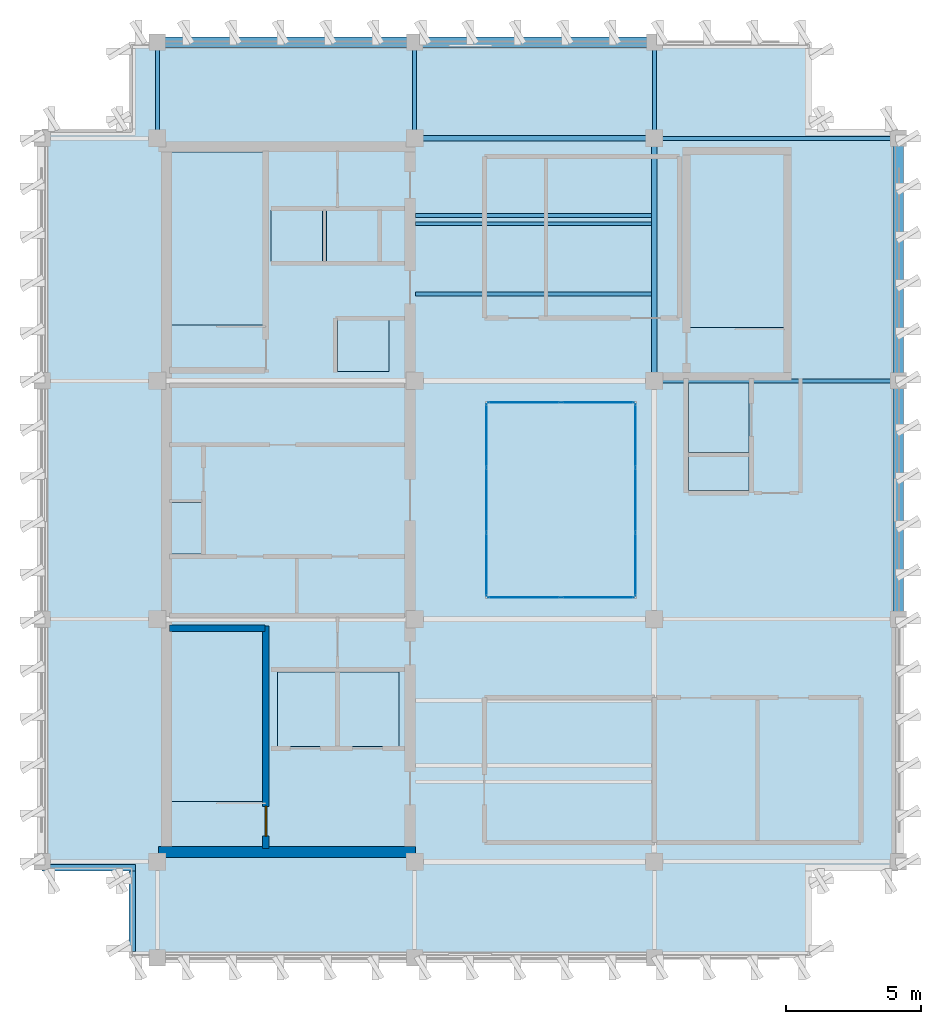
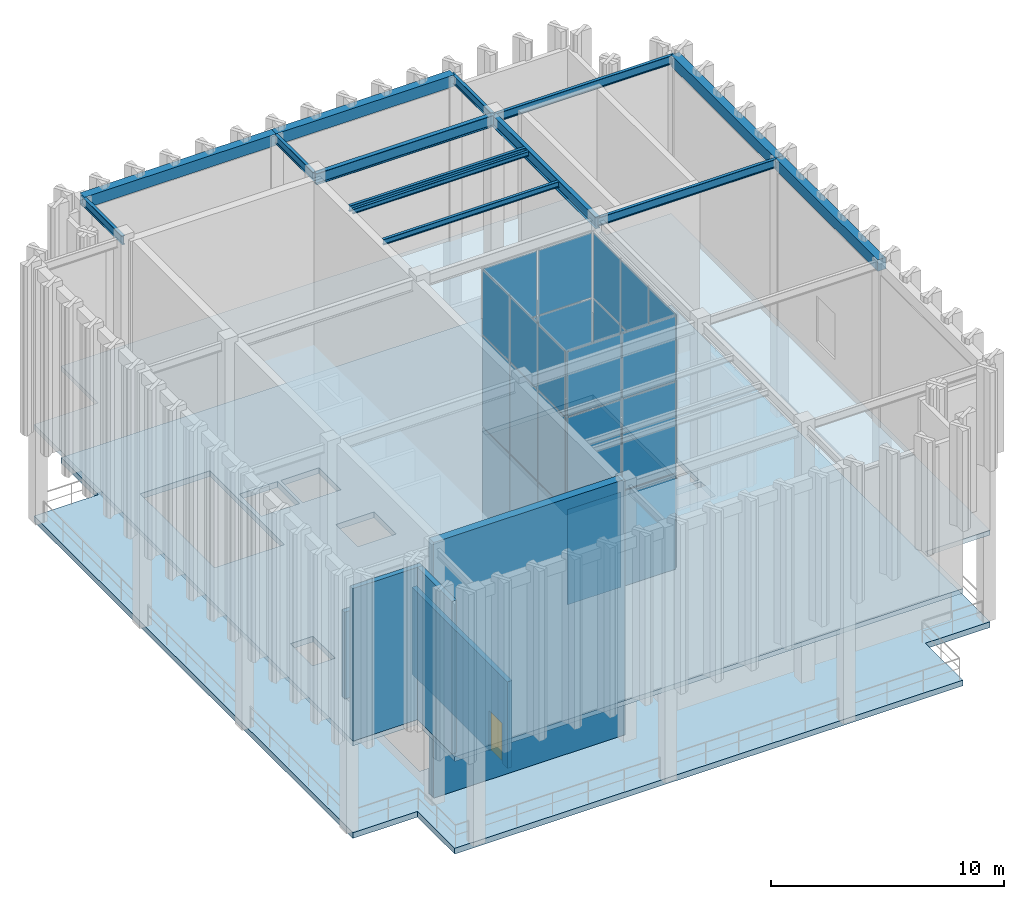
# One storey, part 10 of 15: 30 plates, 14 beams, 5 walls, 2 slabs, 1 door, 1 opening, 4 elements without a shape of their own.
"""IFC4 building model written with IfcOpenShell, lengths in metres."""

from ifc_helpers import new_model, si_unit, direction, frame, frame_2d, origin, origin_2d, place, context, subcontext, project, spatial, polyline, rectangle, i_section, outline, extrude, material, layer, layer_set, material_profile, profile_set, type_object, element, fill, aggregate, save


model = new_model("IFC4")

# Units and contexts
model_context = context("Model", 3, precision=1e-05, world=origin(), true_north=direction((0.0, 1.0)))
body_context = subcontext(model_context, "Body", "Model", "MODEL_VIEW")
ifc_project = project(units=[si_unit("LENGTHUNIT", "METRE"), si_unit("AREAUNIT", "SQUARE_METRE"), si_unit("VOLUMEUNIT", "CUBIC_METRE"), si_unit("PLANEANGLEUNIT", "RADIAN"), si_unit("MASSUNIT", "GRAM", prefix="KILO")], contexts=[model_context])

# Site, building, storey
site_placement = place(None, origin())
site = spatial("IfcSite", under=ifc_project, at=site_placement, CompositionType="ELEMENT")
building_placement = place(site_placement, origin())
building = spatial("IfcBuilding", under=site, at=building_placement, Name="Kundavana Baori Tower", CompositionType="ELEMENT")
storey_placement = place(building_placement, frame((0.0, 0.0, 354.699951171875)))
storey = spatial("IfcBuildingStorey", under=building, at=storey_placement, Name="L88", CompositionType="ELEMENT", Elevation=354.699951171875)

# Beams
ifc_material_1 = material(Name="Concrete C50/60", Category="concrete")
ifc_material_profile_1 = material_profile(ifc_material_1, rectangle(XDim=0.39990234375, YDim=0.60009765625, at=origin_2d()), Name="RC BM 400x600")
ifc_profile_set_1 = profile_set([ifc_material_profile_1], Name="Concrete C50/60")
beam_type_1 = type_object("IfcBeamType", Name="BM-PF-600", PredefinedType="SPANDREL", material=ifc_profile_set_1)
beam_1_placement = place(storey_placement, frame((15.449951171875, 45.5, 13.10009765625), z_axis=(1.0, 0.0, 0.0), x_axis=(0.0, 1.0, 0.0)))
element("IfcBeam", 1, at=beam_1_placement, inside=storey, type_object=beam_type_1, Name="L88 Perimeter Frame Ring Beam N1", PredefinedType="SPANDREL", context=body_context, shape_type="SweptSolid", body=[
    extrude(rectangle(XDim=0.39990234375, YDim=0.60009765625, at=origin_2d()), origin(), (0.0, 0.0, 1.0), 9.5),
])
beam_2_placement = place(storey_placement, frame((24.949951171875, 45.5, 13.10009765625), z_axis=(1.0, 0.0, 0.0), x_axis=(0.0, 1.0, 0.0)))
element("IfcBeam", 2, at=beam_2_placement, inside=storey, type_object=beam_type_1, Name="L88 Perimeter Frame Ring Beam N2", PredefinedType="SPANDREL", context=body_context, shape_type="SweptSolid", body=[
    extrude(rectangle(XDim=0.39990234375, YDim=0.60009765625, at=origin_2d()), origin(), (0.0, 0.0, 1.0), 8.85009765625),
])
beam_3_placement = place(storey_placement, frame((42.800048828125, 24.199951171875, 13.10009765625), z_axis=(0.0, 1.0, 0.0), x_axis=(-1.0, 0.0, 0.0)))
element("IfcBeam", 3, at=beam_3_placement, inside=storey, type_object=beam_type_1, Name="L88 Perimeter Frame Ring Beam E2", PredefinedType="SPANDREL", context=body_context, shape_type="SweptSolid", body=[
    extrude(rectangle(XDim=0.39990234375, YDim=0.60009765625, at=origin_2d()), origin(), (0.0, 0.0, 1.0), 8.800048828125),
])
beam_4_placement = place(storey_placement, frame((42.800048828125, 33.0, 13.10009765625), z_axis=(0.0, 1.0, 0.0), x_axis=(-1.0, 0.0, 0.0)))
element("IfcBeam", 4, at=beam_4_placement, inside=storey, type_object=beam_type_1, Name="L88 Perimeter Frame Ring Beam E3", PredefinedType="SPANDREL", context=body_context, shape_type="SweptSolid", body=[
    extrude(rectangle(XDim=0.39990234375, YDim=0.60009765625, at=origin_2d()), origin(), (0.0, 0.0, 1.0), 8.949951171875),
])
ifc_material_2 = material(Name="Structural Steel S355JR", Category="steel")
ifc_material_profile_2 = material_profile(ifc_material_2, i_section(OverallWidth=0.125, OverallDepth=0.25, WebThickness=0.0068359375, FlangeThickness=0.012451171875, FilletRadius=0.012939453125, at=origin_2d()), Name="ISMB 250")
ifc_profile_set_2 = profile_set([ifc_material_profile_2], Name="Structural Steel S355JR")
beam_type_2 = type_object("IfcBeamType", Name="BM-RF-250", PredefinedType="JOIST", material=ifc_profile_set_2)
beam_5_placement = place(storey_placement, frame((24.97998046875, 38.800048828125, 13.275146484375), z_axis=(1.0, 0.0, 0.0), x_axis=(0.0, 1.0, 0.0)))
element("IfcBeam", 5, at=beam_5_placement, inside=storey, type_object=beam_type_2, Name="L88 Crown Plant Secondary Joist 1", PredefinedType="JOIST", context=body_context, shape_type="SweptSolid", body=[
    extrude(i_section(OverallWidth=0.125, OverallDepth=0.25, WebThickness=0.0068359375, FlangeThickness=0.012451171875, FilletRadius=0.012939453125, at=origin_2d()), origin(), (0.0, 0.0, 1.0), 8.715087890625),
])
ifc_material_3 = material(Name="Structural Steel S355JR", Category="steel")
ifc_material_profile_3 = material_profile(ifc_material_3, i_section(OverallWidth=0.139892578125, OverallDepth=0.300048828125, WebThickness=0.0078125, FlangeThickness=0.01318359375, FilletRadius=0.013916015625, at=origin_2d()), Name="ISMB 300")
ifc_profile_set_3 = profile_set([ifc_material_profile_3], Name="Structural Steel S355JR")
beam_type_3 = type_object("IfcBeamType", Name="BM-RF-300", PredefinedType="BEAM", material=ifc_profile_set_3)
for number, where, z_axis, x_axis, name in (
    (6, (24.97998046875, 36.199951171875, 13.25), (1.0, 0.0, 0.0), (0.0, 1.0, 0.0), "L88 Central Bay Composite Floor Joist C3"),
    (7, (24.97998046875, 39.10009765625, 13.25), (1.0, 0.0, 0.0), (0.0, 1.0, 0.0), "L88 Central Bay Composite Floor Joist C4"),
):
    element("IfcBeam", number, at=place(storey_placement, frame(where, z_axis=z_axis, x_axis=x_axis)), inside=storey, type_object=beam_type_3, Name=name, PredefinedType="BEAM", context=body_context, shape_type="SweptSolid", body=[
        extrude(i_section(OverallWidth=0.139892578125, OverallDepth=0.300048828125, WebThickness=0.0078125, FlangeThickness=0.01318359375, FilletRadius=0.013916015625, at=origin_2d()), origin(), (0.0, 0.0, 1.0), 8.715087890625),
    ])
ifc_material_4 = material(Name="Structural Steel S355JR", Category="steel")
ifc_material_profile_4 = material_profile(ifc_material_4, i_section(OverallWidth=0.2099609375, OverallDepth=0.60009765625, WebThickness=0.011962890625, FlangeThickness=0.020751953125, FilletRadius=0.02001953125, at=origin_2d()), Name="ISMB 600")
ifc_profile_set_4 = profile_set([ifc_material_profile_4], Name="Structural Steel S355JR")
beam_type_4 = type_object("IfcBeamType", Name="BM-ST-600", PredefinedType="BEAM", material=ifc_profile_set_4)
beam_6_placement = place(storey_placement, frame((24.949951171875, 41.949951171875, 13.10009765625), z_axis=(1.0, 0.0, 0.0), x_axis=(0.0, 1.0, 0.0)))
element("IfcBeam", 8, at=beam_6_placement, inside=storey, type_object=beam_type_4, Name="L88 Primary Grid Girder GX-4-2", PredefinedType="BEAM", context=body_context, shape_type="SweptSolid", body=[
    extrude(i_section(OverallWidth=0.2099609375, OverallDepth=0.60009765625, WebThickness=0.011962890625, FlangeThickness=0.020751953125, FilletRadius=0.02001953125, at=origin_2d()), origin(), (0.0, 0.0, 1.0), 8.85009765625),
])
beam_7_placement = place(storey_placement, frame((33.800048828125, 33.0, 13.10009765625), z_axis=(0.0, 1.0, 0.0), x_axis=(-1.0, 0.0, 0.0)))
element("IfcBeam", 9, at=beam_7_placement, inside=storey, type_object=beam_type_4, Name="L88 Primary Grid Girder GY-3-3", PredefinedType="BEAM", context=body_context, shape_type="SweptSolid", body=[
    extrude(i_section(OverallWidth=0.2099609375, OverallDepth=0.60009765625, WebThickness=0.011962890625, FlangeThickness=0.020751953125, FilletRadius=0.02001953125, at=origin_2d()), origin(), (0.0, 0.0, 1.0), 8.949951171875),
])
ifc_material_5 = material(Name="Structural Steel S355JR", Category="steel")
ifc_material_profile_5 = material_profile(ifc_material_5, i_section(OverallWidth=0.14990234375, OverallDepth=0.449951171875, WebThickness=0.009521484375, FlangeThickness=0.017333984375, FilletRadius=0.014892578125, at=origin_2d()), Name="ISMB 450")
ifc_profile_set_5 = profile_set([ifc_material_profile_5], Name="Structural Steel S355JR")
beam_type_5 = type_object("IfcBeamType", Name="BM-TIE-450", PredefinedType="BEAM", material=ifc_profile_set_5)
for number, where, z_axis, x_axis, name in (
    (10, (15.449951171875, 41.949951171875, 13.175048828125), (0.0, 1.0, 0.0), (-1.0, 0.0, 0.0), "L88 North Radial Loggia Tie Beam N1"),
    (11, (24.949951171875, 41.949951171875, 13.175048828125), (0.0, 1.0, 0.0), (-1.0, 0.0, 0.0), "L88 North Radial Loggia Tie Beam N2"),
    (12, (33.800048828125, 41.949951171875, 13.175048828125), (0.0, 1.0, 0.0), (-1.0, 0.0, 0.0), "L88 North Radial Loggia Tie Beam N3"),
):
    element("IfcBeam", number, at=place(storey_placement, frame(where, z_axis=z_axis, x_axis=x_axis)), inside=storey, type_object=beam_type_5, Name=name, PredefinedType="BEAM", context=body_context, shape_type="SweptSolid", body=[
        extrude(i_section(OverallWidth=0.14990234375, OverallDepth=0.449951171875, WebThickness=0.009521484375, FlangeThickness=0.017333984375, FilletRadius=0.014892578125, at=origin_2d()), origin(), (0.0, 0.0, 1.0), 3.550048828125),
    ])
for number, where, z_axis, x_axis, name in (
    (13, (33.800048828125, 33.0, 13.175048828125), (1.0, 0.0, 0.0), (0.0, 1.0, 0.0), "L88 East Radial Loggia Tie Beam E3"),
    (14, (33.800048828125, 41.949951171875, 13.175048828125), (1.0, 0.0, 0.0), (0.0, 1.0, 0.0), "L88 East Radial Loggia Tie Beam E4"),
):
    element("IfcBeam", number, at=place(storey_placement, frame(where, z_axis=z_axis, x_axis=x_axis)), inside=storey, type_object=beam_type_5, Name=name, PredefinedType="BEAM", context=body_context, shape_type="SweptSolid", body=[
        extrude(i_section(OverallWidth=0.14990234375, OverallDepth=0.449951171875, WebThickness=0.009521484375, FlangeThickness=0.017333984375, FilletRadius=0.014892578125, at=origin_2d()), origin(), (0.0, 0.0, 1.0), 9.0),
    ])

# Curtain wall, plates
ifc_material_6 = material(Name="Thermally Broken Anodised Aluminium Framing", Category="aluminium")
ifc_layer_1 = layer(ifc_material_6, 0.25, Name="CW-SYS-7")
ifc_layer_set_1 = layer_set([ifc_layer_1], Name="Thermally Broken Anodised Aluminium Framing")
curtain_wall_type = type_object("IfcCurtainWallType", Name="CW-SYS-7", PredefinedType="NOTDEFINED", material=ifc_layer_set_1)
curtain_wall_1_placement = place(storey_placement, origin())
curtain_wall_1 = element("IfcCurtainWall", 15, at=curtain_wall_1_placement, inside=storey, type_object=curtain_wall_type, Name="L88 Atrium Glazed Curtain Wall S", PredefinedType="NOTDEFINED")
ifc_material_7 = material(Name="Double-Glazed Solar-Control Low-E Insulated Glass", Category="glass")
ifc_layer_2 = layer(ifc_material_7, 0.028076171875, Name="CW-PNL-GLS28")
ifc_layer_set_2 = layer_set([ifc_layer_2], Name="Double-Glazed Solar-Control Low-E Insulated Glass")
plate_type = type_object("IfcPlateType", Name="CW-PNL-GLS28", PredefinedType="CURTAIN_PANEL", material=ifc_layer_set_2)
plate_1_placement = place(storey_placement, frame((28.9912109375, 25.0, 0.06494140625), z_axis=(0.0, 0.0, 1.0), x_axis=(1.0, 0.0, 0.0)))
plate_1 = element("IfcPlate", 16, at=plate_1_placement, type_object=plate_type, Name="CW7 panel 1.1", PredefinedType="CURTAIN_PANEL", context=body_context, shape_type="SweptSolid", body=[
    extrude(rectangle(XDim=2.652587890625, YDim=0.028076171875, at=origin_2d()), origin(), (0.0, 0.0, 1.0), 4.994384765625),
])
plate_2_placement = place(storey_placement, frame((28.9912109375, 25.0, 5.12451171875), z_axis=(0.0, 0.0, 1.0), x_axis=(1.0, 0.0, 0.0)))
plate_2 = element("IfcPlate", 17, at=plate_2_placement, type_object=plate_type, Name="CW7 panel 1.2", PredefinedType="CURTAIN_PANEL", context=body_context, shape_type="SweptSolid", body=[
    extrude(rectangle(XDim=2.652587890625, YDim=0.028076171875, at=origin_2d()), origin(), (0.0, 0.0, 1.0), 4.759033203125),
])
plate_3_placement = place(storey_placement, frame((28.9912109375, 25.0, 9.94873046875), z_axis=(0.0, 0.0, 1.0), x_axis=(1.0, 0.0, 0.0)))
plate_3 = element("IfcPlate", 18, at=plate_3_placement, type_object=plate_type, Name="CW7 panel 1.3", PredefinedType="CURTAIN_PANEL", context=body_context, shape_type="SweptSolid", body=[
    extrude(rectangle(XDim=2.652587890625, YDim=0.028076171875, at=origin_2d()), origin(), (0.0, 0.0, 1.0), 3.386474609375),
])
plate_4_placement = place(storey_placement, frame((31.708740234375, 25.0, 0.06494140625), z_axis=(0.0, 0.0, 1.0), x_axis=(1.0, 0.0, 0.0)))
plate_4 = element("IfcPlate", 19, at=plate_4_placement, type_object=plate_type, Name="CW7 panel 2.1", PredefinedType="CURTAIN_PANEL", context=body_context, shape_type="SweptSolid", body=[
    extrude(rectangle(XDim=2.652587890625, YDim=0.028076171875, at=origin_2d()), origin(), (0.0, 0.0, 1.0), 4.994384765625),
])
plate_5_placement = place(storey_placement, frame((31.708740234375, 25.0, 5.12451171875), z_axis=(0.0, 0.0, 1.0), x_axis=(1.0, 0.0, 0.0)))
plate_5 = element("IfcPlate", 20, at=plate_5_placement, type_object=plate_type, Name="CW7 panel 2.2", PredefinedType="CURTAIN_PANEL", context=body_context, shape_type="SweptSolid", body=[
    extrude(rectangle(XDim=2.652587890625, YDim=0.028076171875, at=origin_2d()), origin(), (0.0, 0.0, 1.0), 4.759033203125),
])
plate_6_placement = place(storey_placement, frame((31.708740234375, 25.0, 9.94873046875), z_axis=(0.0, 0.0, 1.0), x_axis=(1.0, 0.0, 0.0)))
plate_6 = element("IfcPlate", 21, at=plate_6_placement, type_object=plate_type, Name="CW7 panel 2.3", PredefinedType="CURTAIN_PANEL", context=body_context, shape_type="SweptSolid", body=[
    extrude(rectangle(XDim=2.652587890625, YDim=0.028076171875, at=origin_2d()), origin(), (0.0, 0.0, 1.0), 3.386474609375),
])
aggregate(curtain_wall_1, [plate_1, plate_2, plate_3, plate_4, plate_5, plate_6])

curtain_wall_2_placement = place(storey_placement, origin())
curtain_wall_2 = element("IfcCurtainWall", 22, at=curtain_wall_2_placement, inside=storey, type_object=curtain_wall_type, Name="L88 Atrium Glazed Curtain Wall E", PredefinedType="NOTDEFINED")
plate_7_placement = place(storey_placement, frame((33.10009765625, 26.21630859375, 0.06494140625), z_axis=(0.0, 0.0, 1.0), x_axis=(0.0, 1.0, 0.0)))
plate_7 = element("IfcPlate", 23, at=plate_7_placement, type_object=plate_type, Name="CW7 panel 1.1", PredefinedType="CURTAIN_PANEL", context=body_context, shape_type="SweptSolid", body=[
    extrude(rectangle(XDim=2.302490234375, YDim=0.028076171875, at=origin_2d()), origin(), (0.0, 0.0, 1.0), 4.994384765625),
])
plate_8_placement = place(storey_placement, frame((33.10009765625, 26.21630859375, 5.12451171875), z_axis=(0.0, 0.0, 1.0), x_axis=(0.0, 1.0, 0.0)))
plate_8 = element("IfcPlate", 24, at=plate_8_placement, type_object=plate_type, Name="CW7 panel 1.2", PredefinedType="CURTAIN_PANEL", context=body_context, shape_type="SweptSolid", body=[
    extrude(rectangle(XDim=2.302490234375, YDim=0.028076171875, at=origin_2d()), origin(), (0.0, 0.0, 1.0), 4.759033203125),
])
plate_9_placement = place(storey_placement, frame((33.10009765625, 26.21630859375, 9.94873046875), z_axis=(0.0, 0.0, 1.0), x_axis=(0.0, 1.0, 0.0)))
plate_9 = element("IfcPlate", 25, at=plate_9_placement, type_object=plate_type, Name="CW7 panel 1.3", PredefinedType="CURTAIN_PANEL", context=body_context, shape_type="SweptSolid", body=[
    extrude(rectangle(XDim=2.302490234375, YDim=0.028076171875, at=origin_2d()), origin(), (0.0, 0.0, 1.0), 3.386474609375),
])
plate_10_placement = place(storey_placement, frame((33.10009765625, 28.60009765625, 0.06494140625), z_axis=(0.0, 0.0, 1.0), x_axis=(0.0, 1.0, 0.0)))
plate_10 = element("IfcPlate", 26, at=plate_10_placement, type_object=plate_type, Name="CW7 panel 2.1", PredefinedType="CURTAIN_PANEL", context=body_context, shape_type="SweptSolid", body=[
    extrude(rectangle(XDim=2.3349609375, YDim=0.028076171875, at=origin_2d()), origin(), (0.0, 0.0, 1.0), 4.994384765625),
])
plate_11_placement = place(storey_placement, frame((33.10009765625, 28.60009765625, 5.12451171875), z_axis=(0.0, 0.0, 1.0), x_axis=(0.0, 1.0, 0.0)))
plate_11 = element("IfcPlate", 27, at=plate_11_placement, type_object=plate_type, Name="CW7 panel 2.2", PredefinedType="CURTAIN_PANEL", context=body_context, shape_type="SweptSolid", body=[
    extrude(rectangle(XDim=2.3349609375, YDim=0.028076171875, at=origin_2d()), origin(), (0.0, 0.0, 1.0), 4.759033203125),
])
plate_12_placement = place(storey_placement, frame((33.10009765625, 28.60009765625, 9.94873046875), z_axis=(0.0, 0.0, 1.0), x_axis=(0.0, 1.0, 0.0)))
plate_12 = element("IfcPlate", 28, at=plate_12_placement, type_object=plate_type, Name="CW7 panel 2.3", PredefinedType="CURTAIN_PANEL", context=body_context, shape_type="SweptSolid", body=[
    extrude(rectangle(XDim=2.3349609375, YDim=0.028076171875, at=origin_2d()), origin(), (0.0, 0.0, 1.0), 3.386474609375),
])
plate_13_placement = place(storey_placement, frame((33.10009765625, 30.983642578125, 0.06494140625), z_axis=(0.0, 0.0, 1.0), x_axis=(0.0, 1.0, 0.0)))
plate_13 = element("IfcPlate", 29, at=plate_13_placement, type_object=plate_type, Name="CW7 panel 3.1", PredefinedType="CURTAIN_PANEL", context=body_context, shape_type="SweptSolid", body=[
    extrude(rectangle(XDim=2.302490234375, YDim=0.028076171875, at=origin_2d()), origin(), (0.0, 0.0, 1.0), 4.994384765625),
])
plate_14_placement = place(storey_placement, frame((33.10009765625, 30.983642578125, 5.12451171875), z_axis=(0.0, 0.0, 1.0), x_axis=(0.0, 1.0, 0.0)))
plate_14 = element("IfcPlate", 30, at=plate_14_placement, type_object=plate_type, Name="CW7 panel 3.2", PredefinedType="CURTAIN_PANEL", context=body_context, shape_type="SweptSolid", body=[
    extrude(rectangle(XDim=2.302490234375, YDim=0.028076171875, at=origin_2d()), origin(), (0.0, 0.0, 1.0), 4.759033203125),
])
plate_15_placement = place(storey_placement, frame((33.10009765625, 30.983642578125, 9.94873046875), z_axis=(0.0, 0.0, 1.0), x_axis=(0.0, 1.0, 0.0)))
plate_15 = element("IfcPlate", 31, at=plate_15_placement, type_object=plate_type, Name="CW7 panel 3.3", PredefinedType="CURTAIN_PANEL", context=body_context, shape_type="SweptSolid", body=[
    extrude(rectangle(XDim=2.302490234375, YDim=0.028076171875, at=origin_2d()), origin(), (0.0, 0.0, 1.0), 3.386474609375),
])
aggregate(curtain_wall_2, [plate_7, plate_8, plate_9, plate_10, plate_11, plate_12, plate_13, plate_14, plate_15])

curtain_wall_3_placement = place(storey_placement, origin())
curtain_wall_3 = element("IfcCurtainWall", 32, at=curtain_wall_3_placement, inside=storey, type_object=curtain_wall_type, Name="L88 Atrium Glazed Curtain Wall N", PredefinedType="NOTDEFINED")
plate_16_placement = place(storey_placement, frame((31.708740234375, 32.199951171875, 0.06494140625), z_axis=(0.0, 0.0, 1.0), x_axis=(-1.0, 0.0, 0.0)))
plate_16 = element("IfcPlate", 33, at=plate_16_placement, type_object=plate_type, Name="CW7 panel 1.1", PredefinedType="CURTAIN_PANEL", context=body_context, shape_type="SweptSolid", body=[
    extrude(rectangle(XDim=2.652587890625, YDim=0.028076171875, at=origin_2d()), origin(), (0.0, 0.0, 1.0), 4.994384765625),
])
plate_17_placement = place(storey_placement, frame((31.708740234375, 32.199951171875, 5.12451171875), z_axis=(0.0, 0.0, 1.0), x_axis=(-1.0, 0.0, 0.0)))
plate_17 = element("IfcPlate", 34, at=plate_17_placement, type_object=plate_type, Name="CW7 panel 1.2", PredefinedType="CURTAIN_PANEL", context=body_context, shape_type="SweptSolid", body=[
    extrude(rectangle(XDim=2.652587890625, YDim=0.028076171875, at=origin_2d()), origin(), (0.0, 0.0, 1.0), 4.759033203125),
])
plate_18_placement = place(storey_placement, frame((31.708740234375, 32.199951171875, 9.94873046875), z_axis=(0.0, 0.0, 1.0), x_axis=(-1.0, 0.0, 0.0)))
plate_18 = element("IfcPlate", 35, at=plate_18_placement, type_object=plate_type, Name="CW7 panel 1.3", PredefinedType="CURTAIN_PANEL", context=body_context, shape_type="SweptSolid", body=[
    extrude(rectangle(XDim=2.652587890625, YDim=0.028076171875, at=origin_2d()), origin(), (0.0, 0.0, 1.0), 3.386474609375),
])
plate_19_placement = place(storey_placement, frame((28.9912109375, 32.199951171875, 0.06494140625), z_axis=(0.0, 0.0, 1.0), x_axis=(-1.0, 0.0, 0.0)))
plate_19 = element("IfcPlate", 36, at=plate_19_placement, type_object=plate_type, Name="CW7 panel 2.1", PredefinedType="CURTAIN_PANEL", context=body_context, shape_type="SweptSolid", body=[
    extrude(rectangle(XDim=2.652587890625, YDim=0.028076171875, at=origin_2d()), origin(), (0.0, 0.0, 1.0), 4.994384765625),
])
plate_20_placement = place(storey_placement, frame((28.9912109375, 32.199951171875, 5.12451171875), z_axis=(0.0, 0.0, 1.0), x_axis=(-1.0, 0.0, 0.0)))
plate_20 = element("IfcPlate", 37, at=plate_20_placement, type_object=plate_type, Name="CW7 panel 2.2", PredefinedType="CURTAIN_PANEL", context=body_context, shape_type="SweptSolid", body=[
    extrude(rectangle(XDim=2.652587890625, YDim=0.028076171875, at=origin_2d()), origin(), (0.0, 0.0, 1.0), 4.759033203125),
])
plate_21_placement = place(storey_placement, frame((28.9912109375, 32.199951171875, 9.94873046875), z_axis=(0.0, 0.0, 1.0), x_axis=(-1.0, 0.0, 0.0)))
plate_21 = element("IfcPlate", 38, at=plate_21_placement, type_object=plate_type, Name="CW7 panel 2.3", PredefinedType="CURTAIN_PANEL", context=body_context, shape_type="SweptSolid", body=[
    extrude(rectangle(XDim=2.652587890625, YDim=0.028076171875, at=origin_2d()), origin(), (0.0, 0.0, 1.0), 3.386474609375),
])
aggregate(curtain_wall_3, [plate_16, plate_17, plate_18, plate_19, plate_20, plate_21])

curtain_wall_4_placement = place(storey_placement, origin())
curtain_wall_4 = element("IfcCurtainWall", 39, at=curtain_wall_4_placement, inside=storey, type_object=curtain_wall_type, Name="L88 Atrium Glazed Curtain Wall W", PredefinedType="NOTDEFINED")
plate_22_placement = place(storey_placement, frame((27.60009765625, 30.983642578125, 0.06494140625), z_axis=(0.0, 0.0, 1.0), x_axis=(0.0, -1.0, 0.0)))
plate_22 = element("IfcPlate", 40, at=plate_22_placement, type_object=plate_type, Name="CW7 panel 1.1", PredefinedType="CURTAIN_PANEL", context=body_context, shape_type="SweptSolid", body=[
    extrude(rectangle(XDim=2.302490234375, YDim=0.028076171875, at=origin_2d()), origin(), (0.0, 0.0, 1.0), 4.994384765625),
])
plate_23_placement = place(storey_placement, frame((27.60009765625, 30.983642578125, 5.12451171875), z_axis=(0.0, 0.0, 1.0), x_axis=(0.0, -1.0, 0.0)))
plate_23 = element("IfcPlate", 41, at=plate_23_placement, type_object=plate_type, Name="CW7 panel 1.2", PredefinedType="CURTAIN_PANEL", context=body_context, shape_type="SweptSolid", body=[
    extrude(rectangle(XDim=2.302490234375, YDim=0.028076171875, at=origin_2d()), origin(), (0.0, 0.0, 1.0), 4.759033203125),
])
plate_24_placement = place(storey_placement, frame((27.60009765625, 30.983642578125, 9.94873046875), z_axis=(0.0, 0.0, 1.0), x_axis=(0.0, -1.0, 0.0)))
plate_24 = element("IfcPlate", 42, at=plate_24_placement, type_object=plate_type, Name="CW7 panel 1.3", PredefinedType="CURTAIN_PANEL", context=body_context, shape_type="SweptSolid", body=[
    extrude(rectangle(XDim=2.302490234375, YDim=0.028076171875, at=origin_2d()), origin(), (0.0, 0.0, 1.0), 3.386474609375),
])
plate_25_placement = place(storey_placement, frame((27.60009765625, 28.60009765625, 0.06494140625), z_axis=(0.0, 0.0, 1.0), x_axis=(0.0, -1.0, 0.0)))
plate_25 = element("IfcPlate", 43, at=plate_25_placement, type_object=plate_type, Name="CW7 panel 2.1", PredefinedType="CURTAIN_PANEL", context=body_context, shape_type="SweptSolid", body=[
    extrude(rectangle(XDim=2.3349609375, YDim=0.028076171875, at=origin_2d()), origin(), (0.0, 0.0, 1.0), 4.994384765625),
])
plate_26_placement = place(storey_placement, frame((27.60009765625, 28.60009765625, 5.12451171875), z_axis=(0.0, 0.0, 1.0), x_axis=(0.0, -1.0, 0.0)))
plate_26 = element("IfcPlate", 44, at=plate_26_placement, type_object=plate_type, Name="CW7 panel 2.2", PredefinedType="CURTAIN_PANEL", context=body_context, shape_type="SweptSolid", body=[
    extrude(rectangle(XDim=2.3349609375, YDim=0.028076171875, at=origin_2d()), origin(), (0.0, 0.0, 1.0), 4.759033203125),
])
plate_27_placement = place(storey_placement, frame((27.60009765625, 28.60009765625, 9.94873046875), z_axis=(0.0, 0.0, 1.0), x_axis=(0.0, -1.0, 0.0)))
plate_27 = element("IfcPlate", 45, at=plate_27_placement, type_object=plate_type, Name="CW7 panel 2.3", PredefinedType="CURTAIN_PANEL", context=body_context, shape_type="SweptSolid", body=[
    extrude(rectangle(XDim=2.3349609375, YDim=0.028076171875, at=origin_2d()), origin(), (0.0, 0.0, 1.0), 3.386474609375),
])
plate_28_placement = place(storey_placement, frame((27.60009765625, 26.21630859375, 0.06494140625), z_axis=(0.0, 0.0, 1.0), x_axis=(0.0, -1.0, 0.0)))
plate_28 = element("IfcPlate", 46, at=plate_28_placement, type_object=plate_type, Name="CW7 panel 3.1", PredefinedType="CURTAIN_PANEL", context=body_context, shape_type="SweptSolid", body=[
    extrude(rectangle(XDim=2.302490234375, YDim=0.028076171875, at=origin_2d()), origin(), (0.0, 0.0, 1.0), 4.994384765625),
])
plate_29_placement = place(storey_placement, frame((27.60009765625, 26.21630859375, 5.12451171875), z_axis=(0.0, 0.0, 1.0), x_axis=(0.0, -1.0, 0.0)))
plate_29 = element("IfcPlate", 47, at=plate_29_placement, type_object=plate_type, Name="CW7 panel 3.2", PredefinedType="CURTAIN_PANEL", context=body_context, shape_type="SweptSolid", body=[
    extrude(rectangle(XDim=2.302490234375, YDim=0.028076171875, at=origin_2d()), origin(), (0.0, 0.0, 1.0), 4.759033203125),
])
plate_30_placement = place(storey_placement, frame((27.60009765625, 26.21630859375, 9.94873046875), z_axis=(0.0, 0.0, 1.0), x_axis=(0.0, -1.0, 0.0)))
plate_30 = element("IfcPlate", 48, at=plate_30_placement, type_object=plate_type, Name="CW7 panel 3.3", PredefinedType="CURTAIN_PANEL", context=body_context, shape_type="SweptSolid", body=[
    extrude(rectangle(XDim=2.302490234375, YDim=0.028076171875, at=origin_2d()), origin(), (0.0, 0.0, 1.0), 3.386474609375),
])
aggregate(curtain_wall_4, [plate_22, plate_23, plate_24, plate_25, plate_26, plate_27, plate_28, plate_29, plate_30])

# Slabs
ifc_material_8 = material(Name="Concrete C40/50", Category="concrete")
ifc_layer_3 = layer(ifc_material_8, 0.25, Name="SLB-FLR-250")
ifc_layer_set_3 = layer_set([ifc_layer_3], Name="Concrete C40/50")
slab_type_1 = type_object("IfcSlabType", Name="SLB-FLR-250", PredefinedType="FLOOR", material=ifc_layer_set_3)
slab_1_placement = place(storey_placement, frame((0.0, 0.0, 4.550048828125)))
element("IfcSlab", 49, at=slab_1_placement, inside=storey, type_object=slab_type_1, Name="L88 Crown Mechanical Plenum Structural Deck", PredefinedType="FLOOR", context=body_context, shape_type="SweptSolid", body=[
    extrude(outline(polyline([(14.39990234375, 11.699951171875), (39.60009765625, 11.699951171875), (39.60009765625, 14.89990234375), (42.800048828125, 14.89990234375), (42.800048828125, 42.300048828125), (39.60009765625, 42.300048828125), (39.60009765625, 45.5), (14.39990234375, 45.5), (14.39990234375, 42.300048828125), (11.199951171875, 42.300048828125), (11.199951171875, 14.89990234375), (14.39990234375, 14.89990234375), (14.39990234375, 11.699951171875)]), holes=[polyline([(27.60009765625, 25.0), (33.10009765625, 25.0), (33.10009765625, 32.199951171875), (27.60009765625, 32.199951171875), (27.60009765625, 25.0)])]), origin(), (0.0, 0.0, 1.0), 0.25),
])
ifc_material_9 = material(Name="Concrete C40/50", Category="concrete")
ifc_layer_4 = layer(ifc_material_9, 0.300048828125, Name="SLB-FLR-300")
ifc_layer_set_4 = layer_set([ifc_layer_4], Name="Concrete C40/50")
slab_type_2 = type_object("IfcSlabType", Name="SLB-FLR-300", PredefinedType="FLOOR", material=ifc_layer_set_4)
slab_2_placement = place(storey_placement, frame((0.0, 0.0, -0.300048828125)))
element("IfcSlab", 50, at=slab_2_placement, inside=storey, type_object=slab_type_2, Name="L88 Structural Floor Slab", PredefinedType="FLOOR", context=body_context, shape_type="SweptSolid", body=[
    extrude(outline(polyline([(14.39990234375, 11.699951171875), (39.60009765625, 11.699951171875), (39.60009765625, 14.89990234375), (42.800048828125, 14.89990234375), (42.800048828125, 42.300048828125), (39.60009765625, 42.300048828125), (39.60009765625, 45.5), (14.39990234375, 45.5), (14.39990234375, 42.300048828125), (11.199951171875, 42.300048828125), (11.199951171875, 14.89990234375), (14.39990234375, 14.89990234375), (14.39990234375, 11.699951171875)]), holes=[polyline([(19.43994140625, 17.4619140625), (19.43994140625, 23.85009765625), (15.97998046875, 23.85009765625), (15.97998046875, 17.4619140625), (19.43994140625, 17.4619140625)]), polyline([(19.43994140625, 35.06201171875), (19.43994140625, 41.449951171875), (15.97998046875, 41.449951171875), (15.97998046875, 35.06201171875), (19.43994140625, 35.06201171875)]), polyline([(38.580078125, 34.9619140625), (38.580078125, 41.35009765625), (35.1201171875, 41.35009765625), (35.1201171875, 34.9619140625), (38.580078125, 34.9619140625)]), polyline([(19.64990234375, 37.39990234375), (21.550048828125, 37.39990234375), (21.550048828125, 39.300048828125), (19.64990234375, 39.300048828125), (19.64990234375, 37.39990234375)]), polyline([(21.699951171875, 37.39990234375), (23.60009765625, 37.39990234375), (23.60009765625, 39.300048828125), (21.699951171875, 39.300048828125), (21.699951171875, 37.39990234375)]), polyline([(22.10009765625, 33.35009765625), (24.0, 33.35009765625), (24.0, 35.25), (22.10009765625, 35.25), (22.10009765625, 33.35009765625)]), polyline([(19.8798828125, 19.5), (22.02001953125, 19.5), (22.02001953125, 22.25), (19.8798828125, 22.25), (19.8798828125, 19.5)]), polyline([(22.179931640625, 19.5), (24.3798828125, 19.5), (24.3798828125, 22.25), (22.179931640625, 22.25), (22.179931640625, 19.5)]), polyline([(35.050048828125, 30.35009765625), (37.300048828125, 30.35009765625), (37.300048828125, 32.949951171875), (35.050048828125, 32.949951171875), (35.050048828125, 30.35009765625)]), polyline([(15.949951171875, 26.60009765625), (17.080078125, 26.60009765625), (17.080078125, 28.5), (15.949951171875, 28.5), (15.949951171875, 26.60009765625)]), polyline([(35.050048828125, 28.949951171875), (37.300048828125, 28.949951171875), (37.300048828125, 30.199951171875), (35.050048828125, 30.199951171875), (35.050048828125, 28.949951171875)])]), origin(), (0.0, 0.0, 1.0), 0.300048828125),
])

# Wall
ifc_material_10 = material(Name="Concrete C50/60", Category="concrete")
ifc_layer_5 = layer(ifc_material_10, 0.39990234375, Name="WL-CORE-400")
ifc_layer_set_5 = layer_set([ifc_layer_5], Name="Concrete C50/60")
wall_type_1 = type_object("IfcWallType", Name="WL-CORE-400", PredefinedType="SHEAR", material=ifc_layer_set_5)
wall_1_placement = place(storey_placement, frame((15.5, 15.610107421875, 0.0), z_axis=(0.0, 0.0, 1.0), x_axis=(1.0, 0.0, 0.0)))
element("IfcWall", 51, at=wall_1_placement, inside=storey, type_object=wall_type_1, Name="L88 Offset Core South Shear Wall", PredefinedType="SHEAR", context=body_context, shape_type="SweptSolid", body=[
    extrude(rectangle(XDim=9.47998046875, YDim=0.39990234375, at=frame_2d((4.739990234375, 0.0))), origin(), (0.0, 0.0, 1.0), 13.400146484375),
])

# Wall, opening, door
wall_2_placement = place(storey_placement, frame((19.4599609375, 15.739990234375, 0.0), z_axis=(0.0, 0.0, 1.0), x_axis=(0.0, 1.0, 0.0)))
wall_2 = element("IfcWall", 52, at=wall_2_placement, inside=storey, type_object=wall_type_1, Name="WL-L88-ST1-E", PredefinedType="SHEAR", context=body_context, shape_type="SweptSolid", body=[
    extrude(rectangle(XDim=8.199951171875, YDim=0.239990234375, at=frame_2d((4.10009765625, 0.0))), origin(), (0.0, 0.0, 1.0), 4.550048828125),
])
opening_placement = place(wall_2_placement, frame((0.449951171875, 0.0, 0.0)))
opening = element("IfcOpeningElement", 53, at=opening_placement, cuts=wall_2, Name="Opening FD-110", PredefinedType="OPENING", context=body_context, shape_type="SweptSolid", body=[
    extrude(rectangle(XDim=1.10009765625, YDim=2.10009765625, at=frame_2d((0.550048828125, 1.050048828125))), frame((0.0, 0.1298828125, 0.0), z_axis=(0.0, -1.0, 0.0), x_axis=(1.0, 0.0, 0.0)), (0.0, 0.0, 1.0), 0.260009765625),
])
ifc_material_11 = material(Name="Galvanised Steel Fire-Rated Door Leaf", Category="steel")
door_type = type_object("IfcDoorType", Name="DR-FD120-1100", OperationType="NOTDEFINED", PredefinedType="DOOR", material=ifc_material_11)
door_placement = place(opening_placement, origin())
door = element("IfcDoor", 54, at=door_placement, inside=storey, type_object=door_type, Name="DR-L88-ST1", OperationType="SINGLE_SWING_LEFT", OverallHeight=2.10009765625, OverallWidth=1.10009765625, PredefinedType="DOOR", context=body_context, shape_type="SweptSolid", body=[
    extrude(rectangle(XDim=1.10009765625, YDim=2.10009765625, at=frame_2d((0.550048828125, 1.050048828125))), frame((0.0, 0.02490234375, 0.0), z_axis=(0.0, -1.0, 0.0), x_axis=(1.0, 0.0, 0.0)), (0.0, 0.0, 1.0), 0.050048828125),
])
fill(opening, door)

# Walls
wall_3_placement = place(storey_placement, frame((15.89990234375, 23.860107421875, 0.0), z_axis=(0.0, 0.0, 1.0), x_axis=(1.0, 0.0, 0.0)))
element("IfcWall", 55, at=wall_3_placement, inside=storey, type_object=wall_type_1, Name="WL-L88-ST1-N", PredefinedType="SHEAR", context=body_context, shape_type="SweptSolid", body=[
    extrude(rectangle(XDim=3.52001953125, YDim=0.239990234375, at=frame_2d((1.760009765625, 0.0))), origin(), (0.0, 0.0, 1.0), 4.550048828125),
])
ifc_material_12 = material(Name="Red-Buff Dholpur Sandstone Cladding on Concrete C40/50", Category="masonry")
ifc_layer_6 = layer(ifc_material_12, 0.239990234375, Name="WL-EXT-CRN-240")
ifc_layer_set_6 = layer_set([ifc_layer_6], Name="Red-Buff Dholpur Sandstone Cladding on Concrete C40/50")
wall_type_2 = type_object("IfcWallType", Name="WL-EXT-CRN-240", PredefinedType="ELEMENTEDWALL", material=ifc_layer_set_6)
wall_4_placement = place(storey_placement, frame((11.199951171875, 15.02001953125, 4.800048828125), z_axis=(0.0, 0.0, 1.0), x_axis=(1.0, 0.0, 0.0)))
element("IfcWall", 56, at=wall_4_placement, inside=storey, type_object=wall_type_2, Name="L88 Stepped Crown Dholpur Stone Louvre Screen Wall 11", PredefinedType="ELEMENTEDWALL", context=body_context, shape_type="SweptSolid", body=[
    extrude(rectangle(XDim=3.43994140625, YDim=0.239990234375, at=frame_2d((1.719970703125, 0.0))), origin(), (0.0, 0.0, 1.0), 8.0),
])
wall_5_placement = place(storey_placement, frame((14.52001953125, 14.89990234375, 4.800048828125), z_axis=(0.0, 0.0, 1.0), x_axis=(0.0, -1.0, 0.0)))
element("IfcWall", 57, at=wall_5_placement, inside=storey, type_object=wall_type_2, Name="L88 Stepped Crown Dholpur Stone Louvre Screen Wall 12", PredefinedType="ELEMENTEDWALL", context=body_context, shape_type="SweptSolid", body=[
    extrude(rectangle(XDim=2.9599609375, YDim=0.239990234375, at=frame_2d((1.47998046875, 0.0))), origin(), (0.0, 0.0, 1.0), 8.0),
])

save(model, "model.ifc")
